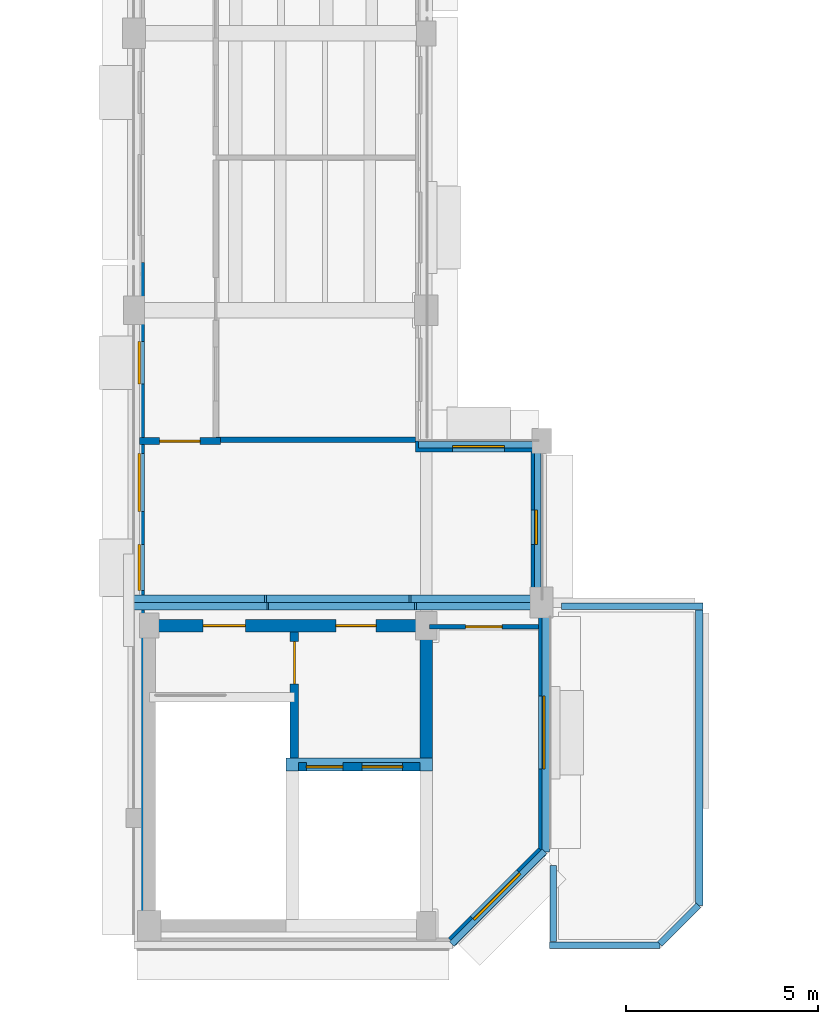
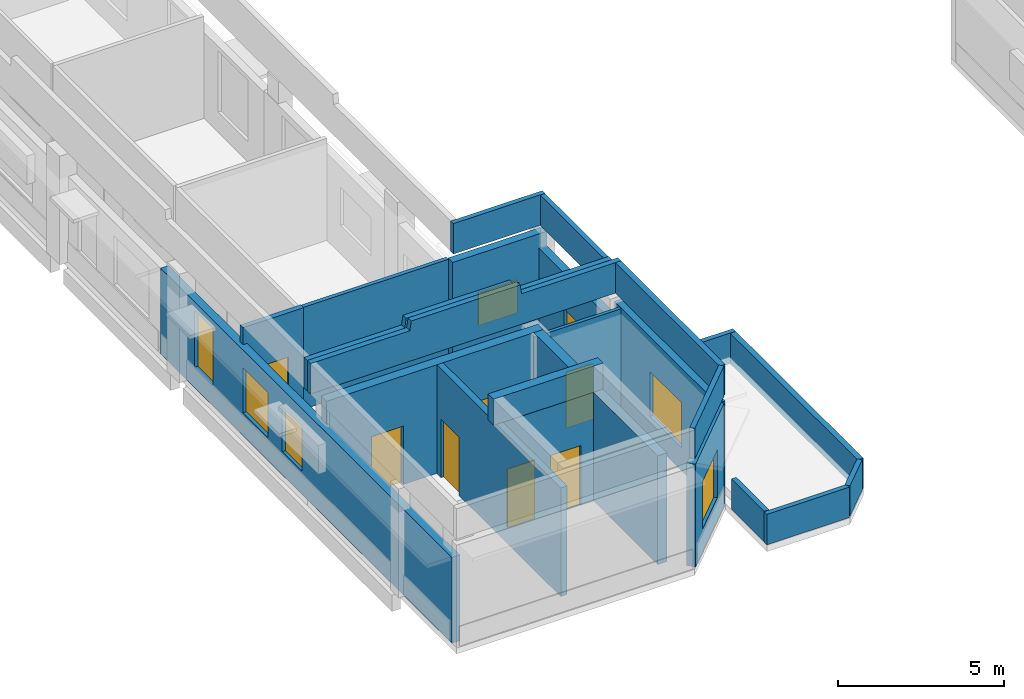
# One storey, part 6 of 17: 24 walls, 7 doors, 7 windows, 14 openings.
"""IFC4 building model written with IfcOpenShell, lengths in metres."""

import ifcopenshell
import ifcopenshell.guid

model = None  # the IFC model being written
_history = None  # IfcOwnerHistory: only IFC2X3 demands one
_inside = {}  # id of a spatial element -> (the spatial element, [elements in it])
_under = {}  # id of a project, library or spatial element -> (it, [spatial elements below it])
_declared = {}  # id of a project -> (the project, [libraries it declares])
_typed = {}  # id of a type object -> (the type object, [elements of that type])
_made_of = {}  # id of a material, layer set ... -> (it, [elements and type objects made of it])


def new_model(schema):
    """Start an empty IFC model of exactly this schema.

    Asked for "IFC4X3", IfcOpenShell would pick the latest addendum, in which some entities
    have other attributes; the version numbers below select the first issue.
    IFC2X3 requires an IfcOwnerHistory on every rooted entity: one is made here for all.
    """
    global model, _history
    if schema == "IFC4X3":
        model = ifcopenshell.file(schema_version=(4, 3, 0, 0))
    else:
        model = ifcopenshell.file(schema=schema)
    _inside.clear()
    _under.clear()
    _declared.clear()
    _typed.clear()
    _made_of.clear()
    _history = None
    if model.schema == "IFC2X3":
        org = make("IfcOrganization", Name="unknown")
        user = make(
            "IfcPersonAndOrganization",
            ThePerson=make("IfcPerson", FamilyName="unknown"),
            TheOrganization=org,
        )
        app = make(
            "IfcApplication",
            ApplicationDeveloper=org,
            Version="unknown",
            ApplicationFullName="unknown",
            ApplicationIdentifier="unknown",
        )
        _history = make(
            "IfcOwnerHistory",
            OwningUser=user,
            OwningApplication=app,
            ChangeAction="ADDED",
            CreationDate=0,
        )
    return model


def make(cls, **values):
    """One entity of the class cls with the attributes given. An attribute that is None is left unset."""
    return model.create_entity(
        cls, **{name: value for name, value in values.items() if value is not None}
    )


def rooted(cls, **values):
    """An entity with a GlobalId (a new one), such as an element, a storey or a relation."""
    return make(cls, GlobalId=ifcopenshell.guid.new(), OwnerHistory=_history, **values)


def si_unit(unit_type, name, prefix=None):
    """IfcSIUnit, for example si_unit("LENGTHUNIT", "METRE", prefix="MILLI")."""
    return make("IfcSIUnit", UnitType=unit_type, Prefix=prefix, Name=name)


def assignment(units):
    """IfcUnitAssignment: the units of a project."""
    return None if units is None else make("IfcUnitAssignment", Units=units)


def point(xyz):
    """IfcCartesianPoint."""
    return None if xyz is None else make("IfcCartesianPoint", Coordinates=xyz)


def direction(xyz):
    """IfcDirection."""
    return None if xyz is None else make("IfcDirection", DirectionRatios=xyz)


def frame(location, z_axis=None, x_axis=None):
    """IfcAxis2Placement3D, a coordinate frame: its origin and axes. An axis left out is left unset."""
    return make(
        "IfcAxis2Placement3D",
        Location=point(location),
        Axis=direction(z_axis),
        RefDirection=direction(x_axis),
    )


def frame_2d(location, x_axis=None):
    """IfcAxis2Placement2D, a coordinate frame in the plane: its origin and x axis."""
    return make(
        "IfcAxis2Placement2D", Location=point(location), RefDirection=direction(x_axis)
    )


def origin():
    """The frame at (0, 0, 0) with its axes left unset."""
    return frame((0.0, 0.0, 0.0))


def place(relative_to, where):
    """IfcLocalPlacement: puts the frame where relative to a parent placement (None: the world)."""
    return make(
        "IfcLocalPlacement", PlacementRelTo=relative_to, RelativePlacement=where
    )


def context(
    kind, dimensions, precision=None, world=None, true_north=None, identifier=None
):
    """IfcGeometricRepresentationContext, for example the 3D "Model" context."""
    return make(
        "IfcGeometricRepresentationContext",
        ContextIdentifier=identifier,
        ContextType=kind,
        CoordinateSpaceDimension=dimensions,
        Precision=precision,
        WorldCoordinateSystem=world,
        TrueNorth=true_north,
    )


def subcontext(parent, identifier, kind, view, scale=None):
    """IfcGeometricRepresentationSubContext, for example "Body" below "Model"."""
    return make(
        "IfcGeometricRepresentationSubContext",
        ContextIdentifier=identifier,
        ContextType=kind,
        ParentContext=parent,
        TargetScale=scale,
        TargetView=view,
    )


def project(units=None, contexts=None):
    """IfcProject with its units and contexts."""
    return rooted(
        "IfcProject",
        Name="project",
        RepresentationContexts=contexts,
        UnitsInContext=assignment(units),
    )


def spatial(cls, under=None, at=None, **own):
    """A site, building, storey or space (cls), placed at a placement, below another one or the project."""
    s = rooted(cls, ObjectPlacement=at, **own)
    if under is not None:
        _under.setdefault(under.id(), (under, []))[1].append(s)
    return s


def polyline(points):
    """IfcPolyline through the points."""
    return make("IfcPolyline", Points=[point(p) for p in points])


def profile(cls, at=None, kind="AREA", **sizes):
    """A parametric profile (cls). Its sizes go by their IFC names, for example OverallWidth=200.0."""
    return make(cls, ProfileType=kind, Position=at, **sizes)


def rectangle(**sizes):
    """IfcRectangleProfileDef."""
    return profile("IfcRectangleProfileDef", **sizes)


def outline(outer, holes=None, kind="AREA"):
    """IfcArbitraryClosedProfileDef: a profile drawn as a closed curve; with holes, ...WithVoids."""
    if holes is None:
        return make("IfcArbitraryClosedProfileDef", ProfileType=kind, OuterCurve=outer)
    return make(
        "IfcArbitraryProfileDefWithVoids",
        ProfileType=kind,
        OuterCurve=outer,
        InnerCurves=holes,
    )


def extrude(swept, where, along, depth):
    """IfcExtrudedAreaSolid: the profile swept, set in the frame where, extruded along a direction by depth."""
    return make(
        "IfcExtrudedAreaSolid",
        SweptArea=swept,
        Position=where,
        ExtrudedDirection=direction(along),
        Depth=depth,
    )


def shape(context_of_items, identifier, shape_type, items):
    """IfcShapeRepresentation: the items that make up one representation, for example the "Body"."""
    return make(
        "IfcShapeRepresentation",
        ContextOfItems=context_of_items,
        RepresentationIdentifier=identifier,
        RepresentationType=shape_type,
        Items=items,
    )


def material(Name=None, Category=None):
    """IfcMaterial."""
    return make("IfcMaterial", Name=Name, Category=Category)


def layer(
    of_material, thickness, ventilated=None, Name=None, Category=None, Priority=None
):
    """IfcMaterialLayer: one layer of a wall or slab, of a material (None: an air gap)."""
    return make(
        "IfcMaterialLayer",
        Material=of_material,
        LayerThickness=thickness,
        IsVentilated=ventilated,
        Name=Name,
        Category=Category,
        Priority=Priority,
    )


def layer_set(layers, Name=None):
    """IfcMaterialLayerSet."""
    return make("IfcMaterialLayerSet", MaterialLayers=layers, LayerSetName=Name)


def made_of(thing, what):
    """Note that an element or type object is made of a material, layer set ...; save() writes the relation."""
    if what is not None:
        _made_of.setdefault(what.id(), (what, []))[1].append(thing)
    return thing


def type_object(cls, material=None, **own):
    """A type object (cls), such as IfcWallType, which elements share."""
    return made_of(rooted(cls, **own), material)


def element(
    cls,
    number,
    at=None,
    inside=None,
    cuts=None,
    type_object=None,
    material=None,
    context=None,
    identifier="Body",
    shape_type=None,
    held_by="IfcProductDefinitionShape",
    body=None,
    shapes=None,
    **own,
):
    """One element of the class cls, such as IfcWall. Its Tag is "e" and its number.

    at: its placement. inside: the storey or other place that contains it. cuts: it is an
    opening in that element (IfcRelVoidsElement). A single representation is given by context,
    identifier, shape_type and body (its items); several are given by shapes. held_by: the class
    of the entity that holds the representations. save() writes the other relations.
    """
    e = rooted(cls, Tag="e%d" % number, ObjectPlacement=at, **own)
    if body is not None:
        shapes = [shape(context, identifier, shape_type, body)]
    if shapes is not None:
        e.Representation = make(held_by, Representations=shapes)
    if inside is not None:
        _inside.setdefault(inside.id(), (inside, []))[1].append(e)
    if cuts is not None:
        rooted(
            "IfcRelVoidsElement", RelatingBuildingElement=cuts, RelatedOpeningElement=e
        )
    if type_object is not None:
        _typed.setdefault(type_object.id(), (type_object, []))[1].append(e)
    return made_of(e, material)


def fill(opening, filler):
    """IfcRelFillsElement: the door or window that sits in an opening."""
    return rooted(
        "IfcRelFillsElement",
        RelatingOpeningElement=opening,
        RelatedBuildingElement=filler,
    )


def aggregate(whole, parts):
    """IfcRelAggregates: a whole, such as a stair, and the parts it consists of."""
    return rooted("IfcRelAggregates", RelatingObject=whole, RelatedObjects=parts)


def save(model, path):
    """Write the relations noted so far, then the file.

    IfcRelAggregates (storeys below a building ...), IfcRelContainedInSpatialStructure (elements
    in a storey), IfcRelDefinesByType, IfcRelAssociatesMaterial and IfcRelDeclares: one each for
    every whole, place, type object, material and project.
    """
    for whole, parts in _under.values():
        aggregate(whole, parts)
    for where, things in _inside.values():
        rooted(
            "IfcRelContainedInSpatialStructure",
            RelatedElements=things,
            RelatingStructure=where,
        )
    for kind, things in _typed.values():
        rooted("IfcRelDefinesByType", RelatedObjects=things, RelatingType=kind)
    for what, things in _made_of.values():
        rooted("IfcRelAssociatesMaterial", RelatedObjects=things, RelatingMaterial=what)
    for by, libraries in _declared.values():
        rooted("IfcRelDeclares", RelatingContext=by, RelatedDefinitions=libraries)
    model.write(path)


model = new_model("IFC4")

# Units and contexts
model_context = context("Model", 3, precision=1e-05, world=origin(), true_north=direction((0.0, 1.0)))
body_context = subcontext(model_context, "Body", "Model", "MODEL_VIEW")
ifc_project = project(units=[si_unit("LENGTHUNIT", "METRE"), si_unit("AREAUNIT", "SQUARE_METRE"), si_unit("VOLUMEUNIT", "CUBIC_METRE"), si_unit("PLANEANGLEUNIT", "RADIAN"), si_unit("MASSUNIT", "GRAM", prefix="KILO")], contexts=[model_context])

# Site, building, storey
site_placement = place(None, origin())
site = spatial("IfcSite", under=ifc_project, at=site_placement, CompositionType="ELEMENT")
building_placement = place(site_placement, origin())
building = spatial("IfcBuilding", under=site, at=building_placement, Name="Kelanivale Promenade Academy", CompositionType="ELEMENT")
storey_placement = place(building_placement, frame((0.0, 0.0, 20.199951171875)))
storey = spatial("IfcBuildingStorey", under=building, at=storey_placement, Name="L05", CompositionType="ELEMENT", Elevation=20.199951171875)

# Wall, openings, doors
ifc_material_1 = material(Name="Concrete C40/50", Category="concrete")
ifc_layer_1 = layer(ifc_material_1, 0.330078125)
ifc_layer_set_1 = layer_set([ifc_layer_1], Name="Concrete C40/50")
wall_type_1 = type_object("IfcWallType", Name="CW-S1 Wall 330mm", PredefinedType="SHEAR", material=ifc_layer_set_1)
wall_1_placement = place(storey_placement, frame((79.43505859375, 41.39990234375, 0.0), z_axis=(0.0, 0.0, 1.0), x_axis=(1.0, 0.0, 0.0)))
wall_1 = element("IfcWall", 1, at=wall_1_placement, inside=storey, type_object=wall_type_1, Name="CORE-1 RC shear wall N L05", PredefinedType="SHEAR", context=body_context, shape_type="SweptSolid", body=[
    extrude(rectangle(XDim=7.530029296875, YDim=0.330078125, at=frame_2d((3.76513671875, 0.0))), origin(), (0.0, 0.0, 1.0), 4.0),
])
opening_1_placement = place(wall_1_placement, frame((5.014892578125, 0.0, 0.0)))
opening_1 = element("IfcOpeningElement", 2, at=opening_1_placement, cuts=wall_1, Name="Opening FD-CORE-1-LB-L05", PredefinedType="OPENING", context=body_context, shape_type="SweptSolid", body=[
    extrude(rectangle(XDim=1.050048828125, YDim=2.14990234375, at=frame_2d((0.52490234375, 1.074951171875))), frame((0.0, 0.175048828125, 0.0), z_axis=(0.0, -1.0, 0.0), x_axis=(1.0, 0.0, 0.0)), (0.0, 0.0, 1.0), 0.35009765625),
])
opening_2_placement = place(wall_1_placement, frame((1.56494140625, 0.0, 0.0)))
opening_2 = element("IfcOpeningElement", 3, at=opening_2_placement, cuts=wall_1, Name="Opening FD-CORE-1-ST-L05", PredefinedType="OPENING", context=body_context, shape_type="SweptSolid", body=[
    extrude(rectangle(XDim=1.10009765625, YDim=2.14990234375, at=frame_2d((0.550048828125, 1.074951171875))), frame((0.0, 0.175048828125, 0.0), z_axis=(0.0, -1.0, 0.0), x_axis=(1.0, 0.0, 0.0)), (0.0, 0.0, 1.0), 0.35009765625),
])
ifc_material_2 = material(Name="Fire-rated steel-core teak veneer", Category="steel")
door_type_1 = type_object("IfcDoorType", Name="DT-F01 Door 1100x2150", OperationType="NOTDEFINED", PredefinedType="DOOR", material=ifc_material_2)
door_1_placement = place(opening_2_placement, origin())
door_1 = element("IfcDoor", 4, at=door_1_placement, inside=storey, type_object=door_type_1, Name="CORE-1 protected stair fire door L05", OperationType="SINGLE_SWING_RIGHT", OverallHeight=2.14990234375, OverallWidth=1.10009765625, PredefinedType="DOOR", context=body_context, shape_type="SweptSolid", body=[
    extrude(rectangle(XDim=1.10009765625, YDim=2.14990234375, at=frame_2d((0.550048828125, 1.074951171875))), frame((0.0, 0.02490234375, 0.0), z_axis=(0.0, -1.0, 0.0), x_axis=(1.0, 0.0, 0.0)), (0.0, 0.0, 1.0), 0.050048828125),
])
fill(opening_2, door_1)
door_type_2 = type_object("IfcDoorType", Name="DT-F03 Door 1050x2150", OperationType="NOTDEFINED", PredefinedType="DOOR", material=ifc_material_2)
door_2_placement = place(opening_1_placement, origin())
door_2 = element("IfcDoor", 5, at=door_2_placement, inside=storey, type_object=door_type_2, Name="CORE-1 corridor-to-lobby fire door L05", OperationType="SINGLE_SWING_LEFT", OverallHeight=2.14990234375, OverallWidth=1.050048828125, PredefinedType="DOOR", context=body_context, shape_type="SweptSolid", body=[
    extrude(rectangle(XDim=1.050048828125, YDim=2.14990234375, at=frame_2d((0.52490234375, 1.074951171875))), frame((0.0, 0.02490234375, 0.0), z_axis=(0.0, -1.0, 0.0), x_axis=(1.0, 0.0, 0.0)), (0.0, 0.0, 1.0), 0.050048828125),
])
fill(opening_1, door_2)

# Walls
wall_2_placement = place(storey_placement, frame((86.800048828125, 33.764892578125, 0.0), z_axis=(0.0, 0.0, 1.0), x_axis=(0.0, 1.0, 0.0)))
element("IfcWall", 6, at=wall_2_placement, inside=storey, type_object=wall_type_1, Name="CORE-1 RC shear wall E L05", PredefinedType="SHEAR", context=body_context, shape_type="SweptSolid", body=[
    extrude(rectangle(XDim=7.47021484375, YDim=0.330078125, at=frame_2d((3.735107421875, 0.0))), origin(), (0.0, 0.0, 1.0), 4.0),
])
wall_3_placement = place(storey_placement, frame((83.155029296875, 37.7900390625, 4.0), z_axis=(0.0, 0.0, 1.0), x_axis=(1.0, 0.0, 0.0)))
element("IfcWall", 7, at=wall_3_placement, inside=storey, type_object=wall_type_1, Name="CORE-1 lift overrun shaft wall N", PredefinedType="SHEAR", context=body_context, shape_type="SweptSolid", body=[
    extrude(rectangle(XDim=3.81005859375, YDim=0.330078125, at=frame_2d((1.905029296875, 0.0))), origin(), (0.0, 0.0, 1.0), 0.9599609375),
])

# Wall, openings, doors
ifc_layer_2 = layer(ifc_material_1, 0.22509765625)
ifc_layer_set_2 = layer_set([ifc_layer_2], Name="Concrete C40/50")
wall_type_2 = type_object("IfcWallType", Name="CW-S2 Wall 225mm", PredefinedType="SHEAR", material=ifc_layer_set_2)
wall_4_placement = place(storey_placement, frame((83.485107421875, 37.72998046875, 0.0), z_axis=(0.0, 0.0, 1.0), x_axis=(1.0, 0.0, 0.0)))
wall_4 = element("IfcWall", 8, at=wall_4_placement, inside=storey, type_object=wall_type_2, Name="CORE-1 lift shaft front RC wall L05", PredefinedType="SHEAR", context=body_context, shape_type="SweptSolid", body=[
    extrude(rectangle(XDim=3.14990234375, YDim=0.22509765625, at=frame_2d((1.574951171875, 0.0))), origin(), (0.0, 0.0, 1.0), 4.0),
])
opening_3_placement = place(wall_4_placement, frame((0.199951171875, 0.0, 0.0)))
opening_3 = element("IfcOpeningElement", 9, at=opening_3_placement, cuts=wall_4, Name="Opening LD-LF-FF1-L05", PredefinedType="OPENING", context=body_context, shape_type="SweptSolid", body=[
    extrude(rectangle(XDim=0.949951171875, YDim=2.14990234375, at=frame_2d((0.47509765625, 1.074951171875))), frame((0.0, 0.12255859375, 0.0), z_axis=(0.0, -1.0, 0.0), x_axis=(1.0, 0.0, 0.0)), (0.0, 0.0, 1.0), 0.2451171875),
])
opening_4_placement = place(wall_4_placement, frame((1.64990234375, 0.0, 0.0)))
opening_4 = element("IfcOpeningElement", 10, at=opening_4_placement, cuts=wall_4, Name="Opening LD-LF-P1-L05", PredefinedType="OPENING", context=body_context, shape_type="SweptSolid", body=[
    extrude(rectangle(XDim=1.050048828125, YDim=2.199951171875, at=frame_2d((0.52490234375, 1.10009765625))), frame((0.0, 0.12255859375, 0.0), z_axis=(0.0, -1.0, 0.0), x_axis=(1.0, 0.0, 0.0)), (0.0, 0.0, 1.0), 0.2451171875),
])
door_type_3 = type_object("IfcDoorType", Name="LD-FF1 Door 950x2150", OperationType="NOTDEFINED", PredefinedType="DOOR", material=ifc_material_2)
door_3_placement = place(opening_3_placement, origin())
door_3 = element("IfcDoor", 11, at=door_3_placement, inside=storey, type_object=door_type_3, Name="Firefighting lift landing door LD-LF-FF1-L05", OperationType="SLIDING_TO_LEFT", OverallHeight=2.14990234375, OverallWidth=0.949951171875, PredefinedType="DOOR", context=body_context, shape_type="SweptSolid", body=[
    extrude(rectangle(XDim=0.949951171875, YDim=2.14990234375, at=frame_2d((0.47509765625, 1.074951171875))), frame((0.0, 0.02490234375, 0.0), z_axis=(0.0, -1.0, 0.0), x_axis=(1.0, 0.0, 0.0)), (0.0, 0.0, 1.0), 0.050048828125),
])
fill(opening_3, door_3)
door_type_4 = type_object("IfcDoorType", Name="LD-PL1 Door 1050x2200", OperationType="NOTDEFINED", PredefinedType="DOOR", material=ifc_material_2)
door_4_placement = place(opening_4_placement, origin())
door_4 = element("IfcDoor", 12, at=door_4_placement, inside=storey, type_object=door_type_4, Name="Passenger lift landing door LD-LF-P1-L05", OperationType="SLIDING_TO_RIGHT", OverallHeight=2.199951171875, OverallWidth=1.050048828125, PredefinedType="DOOR", context=body_context, shape_type="SweptSolid", body=[
    extrude(rectangle(XDim=1.050048828125, YDim=2.199951171875, at=frame_2d((0.52490234375, 1.10009765625))), frame((0.0, 0.02490234375, 0.0), z_axis=(0.0, -1.0, 0.0), x_axis=(1.0, 0.0, 0.0)), (0.0, 0.0, 1.0), 0.050048828125),
])
fill(opening_4, door_4)

# Wall, opening, door
ifc_layer_3 = layer(ifc_material_1, 0.219970703125)
ifc_layer_set_3 = layer_set([ifc_layer_3], Name="Concrete C40/50")
wall_type_3 = type_object("IfcWallType", Name="CW-S3 Wall 220mm", PredefinedType="SHEAR", material=ifc_layer_set_3)
wall_5_placement = place(storey_placement, frame((83.375, 33.764892578125, 0.0), z_axis=(0.0, 0.0, 1.0), x_axis=(0.0, 1.0, 0.0)))
wall_5 = element("IfcWall", 13, at=wall_5_placement, inside=storey, type_object=wall_type_3, Name="CORE-1 stair-lobby dividing RC wall L05", PredefinedType="SHEAR", context=body_context, shape_type="SweptSolid", body=[
    extrude(rectangle(XDim=7.47021484375, YDim=0.219970703125, at=frame_2d((3.735107421875, 0.0))), origin(), (0.0, 0.0, 1.0), 4.0),
])
opening_5_placement = place(wall_5_placement, frame((6.1201171875, 0.0, 0.0)))
opening_5 = element("IfcOpeningElement", 14, at=opening_5_placement, cuts=wall_5, Name="Opening FD-CORE-1-SL-L05", PredefinedType="OPENING", context=body_context, shape_type="SweptSolid", body=[
    extrude(rectangle(XDim=1.10009765625, YDim=2.14990234375, at=frame_2d((0.550048828125, 1.074951171875))), frame((0.0, 0.1201171875, 0.0), z_axis=(0.0, -1.0, 0.0), x_axis=(1.0, 0.0, 0.0)), (0.0, 0.0, 1.0), 0.239990234375),
])
door_5_placement = place(opening_5_placement, origin())
door_5 = element("IfcDoor", 15, at=door_5_placement, inside=storey, type_object=door_type_1, Name="CORE-1 lobby-to-stair fire door L05", OperationType="SINGLE_SWING_RIGHT", OverallHeight=2.14990234375, OverallWidth=1.10009765625, PredefinedType="DOOR", context=body_context, shape_type="SweptSolid", body=[
    extrude(rectangle(XDim=1.10009765625, YDim=2.14990234375, at=frame_2d((0.550048828125, 1.074951171875))), frame((0.0, 0.02490234375, 0.0), z_axis=(0.0, -1.0, 0.0), x_axis=(1.0, 0.0, 0.0)), (0.0, 0.0, 1.0), 0.050048828125),
])
fill(opening_5, door_5)

# Wall, opening, window
ifc_material_3 = material(Name="Insulated ivory stucco masonry wall 280 mm", Category="masonry")
ifc_layer_4 = layer(ifc_material_3, 0.280029296875)
ifc_layer_set_4 = layer_set([ifc_layer_4], Name="Insulated ivory stucco masonry wall 280 mm")
wall_type_4 = type_object("IfcWallType", Name="EW-02 Wall 280mm", PredefinedType="SOLIDWALL", material=ifc_layer_set_4)
wall_6_placement = place(storey_placement, frame((89.659912109375, 42.0, 0.0), z_axis=(0.0, 0.0, 1.0), x_axis=(0.0, 1.0, 0.0)))
wall_6 = element("IfcWall", 16, at=wall_6_placement, inside=storey, type_object=wall_type_4, Name="L05 exterior facade wall EW-L05-ORT-0557", PredefinedType="SOLIDWALL", context=body_context, shape_type="SweptSolid", body=[
    extrude(rectangle(XDim=3.919921875, YDim=0.280029296875, at=frame_2d((1.9599609375, 0.0))), origin(), (0.0, 0.0, 1.0), 3.255126953125),
])
opening_6_placement = place(wall_6_placement, frame((1.510009765625, 0.0, 1.050048828125)))
opening_6 = element("IfcOpeningElement", 17, at=opening_6_placement, cuts=wall_6, Name="Opening WT-10", PredefinedType="OPENING", context=body_context, shape_type="SweptSolid", body=[
    extrude(rectangle(XDim=0.89990234375, YDim=0.89990234375, at=frame_2d((0.449951171875, 0.449951171875))), frame((0.0, 0.14990234375, 0.0), z_axis=(0.0, -1.0, 0.0), x_axis=(1.0, 0.0, 0.0)), (0.0, 0.0, 1.0), 0.300048828125),
])
ifc_material_4 = material(Name="Bronze anodised aluminium frame with low-E laminated glass", Category="aluminium")
window_type_1 = type_object("IfcWindowType", Name="WT-10 Window 900x900", PartitioningType="SINGLE_PANEL", PredefinedType="WINDOW", material=ifc_material_4)
window_1_placement = place(opening_6_placement, origin())
window_1 = element("IfcWindow", 18, at=window_1_placement, inside=storey, type_object=window_type_1, Name="Window WT-10", OverallHeight=0.89990234375, OverallWidth=0.89990234375, PartitioningType="SINGLE_PANEL", PredefinedType="WINDOW", context=body_context, shape_type="SweptSolid", body=[
    extrude(rectangle(XDim=0.89990234375, YDim=0.89990234375, at=frame_2d((0.449951171875, 0.449951171875))), frame((0.0, 0.030029296875, 0.0), z_axis=(0.0, -1.0, 0.0), x_axis=(1.0, 0.0, 0.0)), (0.0, 0.0, 1.0), 0.06005859375),
])
fill(opening_6, window_1)

wall_7_placement = place(storey_placement, frame((89.800048828125, 46.06005859375, 0.0), z_axis=(0.0, 0.0, 1.0), x_axis=(-1.0, 0.0, 0.0)))
wall_7 = element("IfcWall", 19, at=wall_7_placement, inside=storey, type_object=wall_type_4, Name="L05 exterior facade wall EW-L05-ORT-0558", PredefinedType="SOLIDWALL", context=body_context, shape_type="SweptSolid", body=[
    extrude(rectangle(XDim=3.280029296875, YDim=0.280029296875, at=frame_2d((1.64013671875, 0.0))), origin(), (0.0, 0.0, 1.0), 3.780029296875),
])
opening_7_placement = place(wall_7_placement, frame((0.965087890625, 0.0, 1.050048828125)))
opening_7 = element("IfcOpeningElement", 20, at=opening_7_placement, cuts=wall_7, Name="Opening WT-34", PredefinedType="OPENING", context=body_context, shape_type="SweptSolid", body=[
    extrude(rectangle(XDim=1.35009765625, YDim=1.199951171875, at=frame_2d((0.675048828125, 0.60009765625))), frame((0.0, 0.14990234375, 0.0), z_axis=(0.0, -1.0, 0.0), x_axis=(1.0, 0.0, 0.0)), (0.0, 0.0, 1.0), 0.300048828125),
])
window_type_2 = type_object("IfcWindowType", Name="WT-34 Window 1350x1200", PartitioningType="SINGLE_PANEL", PredefinedType="WINDOW", material=ifc_material_4)
window_2_placement = place(opening_7_placement, origin())
window_2 = element("IfcWindow", 21, at=window_2_placement, inside=storey, type_object=window_type_2, Name="Window WT-34", OverallHeight=1.199951171875, OverallWidth=1.35009765625, PartitioningType="SINGLE_PANEL", PredefinedType="WINDOW", context=body_context, shape_type="SweptSolid", body=[
    extrude(rectangle(XDim=1.35009765625, YDim=1.199951171875, at=frame_2d((0.675048828125, 0.60009765625))), frame((0.0, 0.030029296875, 0.0), z_axis=(0.0, -1.0, 0.0), x_axis=(1.0, 0.0, 0.0)), (0.0, 0.0, 1.0), 0.06005859375),
])
fill(opening_7, window_2)

# Wall, openings, windows
wall_8_placement = place(storey_placement, frame((79.340087890625, 50.840087890625, 0.0), z_axis=(0.0, 0.0, 1.0), x_axis=(0.0, -1.0, 0.0)))
wall_8 = element("IfcWall", 22, at=wall_8_placement, inside=storey, type_object=wall_type_4, Name="L05 exterior facade wall EW-L05-ORT-0591", PredefinedType="SOLIDWALL", context=body_context, shape_type="SweptSolid", body=[
    extrude(rectangle(XDim=17.56005859375, YDim=0.280029296875, at=frame_2d((8.780029296875, 0.0))), origin(), (0.0, 0.0, 1.0), 3.155029296875),
])
opening_8_placement = place(wall_8_placement, frame((2.055908203125, 0.0, 0.75)))
opening_8 = element("IfcOpeningElement", 23, at=opening_8_placement, cuts=wall_8, Name="Opening WT-17", PredefinedType="OPENING", context=body_context, shape_type="SweptSolid", body=[
    extrude(rectangle(XDim=1.10009765625, YDim=2.10009765625, at=frame_2d((0.550048828125, 1.050048828125))), frame((0.0, 0.14990234375, 0.0), z_axis=(0.0, -1.0, 0.0), x_axis=(1.0, 0.0, 0.0)), (0.0, 0.0, 1.0), 0.300048828125),
])
opening_9_placement = place(wall_8_placement, frame((4.968017578125, 0.0, 0.85009765625)))
opening_9 = element("IfcOpeningElement", 24, at=opening_9_placement, cuts=wall_8, Name="Opening WT-04", PredefinedType="OPENING", context=body_context, shape_type="SweptSolid", body=[
    extrude(rectangle(XDim=1.5, YDim=1.64990234375, at=frame_2d((0.75, 0.824951171875))), frame((0.0, 0.14990234375, 0.0), z_axis=(0.0, -1.0, 0.0), x_axis=(1.0, 0.0, 0.0)), (0.0, 0.0, 1.0), 0.300048828125),
])
opening_10_placement = place(wall_8_placement, frame((7.330078125, 0.0, 0.85009765625)))
opening_10 = element("IfcOpeningElement", 25, at=opening_10_placement, cuts=wall_8, Name="Opening WT-05", PredefinedType="OPENING", context=body_context, shape_type="SweptSolid", body=[
    extrude(rectangle(XDim=1.199951171875, YDim=1.64990234375, at=frame_2d((0.60009765625, 0.824951171875))), frame((0.0, 0.14990234375, 0.0), z_axis=(0.0, -1.0, 0.0), x_axis=(1.0, 0.0, 0.0)), (0.0, 0.0, 1.0), 0.300048828125),
])
window_type_3 = type_object("IfcWindowType", Name="WT-04 Window 1500x1650", PartitioningType="SINGLE_PANEL", PredefinedType="WINDOW", material=ifc_material_4)
window_3_placement = place(opening_9_placement, origin())
window_3 = element("IfcWindow", 26, at=window_3_placement, inside=storey, type_object=window_type_3, Name="Window WT-04", OverallHeight=1.64990234375, OverallWidth=1.5, PartitioningType="SINGLE_PANEL", PredefinedType="WINDOW", context=body_context, shape_type="SweptSolid", body=[
    extrude(rectangle(XDim=1.5, YDim=1.64990234375, at=frame_2d((0.75, 0.824951171875))), frame((0.0, 0.030029296875, 0.0), z_axis=(0.0, -1.0, 0.0), x_axis=(1.0, 0.0, 0.0)), (0.0, 0.0, 1.0), 0.06005859375),
])
fill(opening_9, window_3)
window_type_4 = type_object("IfcWindowType", Name="WT-05 Window 1200x1650", PartitioningType="SINGLE_PANEL", PredefinedType="WINDOW", material=ifc_material_4)
window_4_placement = place(opening_10_placement, origin())
window_4 = element("IfcWindow", 27, at=window_4_placement, inside=storey, type_object=window_type_4, Name="Window WT-05", OverallHeight=1.64990234375, OverallWidth=1.199951171875, PartitioningType="SINGLE_PANEL", PredefinedType="WINDOW", context=body_context, shape_type="SweptSolid", body=[
    extrude(rectangle(XDim=1.199951171875, YDim=1.64990234375, at=frame_2d((0.60009765625, 0.824951171875))), frame((0.0, 0.030029296875, 0.0), z_axis=(0.0, -1.0, 0.0), x_axis=(1.0, 0.0, 0.0)), (0.0, 0.0, 1.0), 0.06005859375),
])
fill(opening_10, window_4)
window_type_5 = type_object("IfcWindowType", Name="WT-17 Window 1100x2100", PartitioningType="SINGLE_PANEL", PredefinedType="WINDOW", material=ifc_material_4)
window_5_placement = place(opening_8_placement, origin())
window_5 = element("IfcWindow", 28, at=window_5_placement, inside=storey, type_object=window_type_5, Name="Window WT-17", OverallHeight=2.10009765625, OverallWidth=1.10009765625, PartitioningType="SINGLE_PANEL", PredefinedType="WINDOW", context=body_context, shape_type="SweptSolid", body=[
    extrude(rectangle(XDim=1.10009765625, YDim=2.10009765625, at=frame_2d((0.550048828125, 1.050048828125))), frame((0.0, 0.030029296875, 0.0), z_axis=(0.0, -1.0, 0.0), x_axis=(1.0, 0.0, 0.0)), (0.0, 0.0, 1.0), 0.06005859375),
])
fill(opening_8, window_5)

# Wall, opening, window
wall_9_placement = place(storey_placement, frame((87.466064453125, 33.18408203125, 0.0), z_axis=(0.0, 0.0, 1.0), x_axis=(0.707106781187, 0.707106781187, 0.0)))
wall_9 = element("IfcWall", 29, at=wall_9_placement, inside=storey, type_object=wall_type_4, Name="L05 exterior facade wall EW-L05-ORT-0593", PredefinedType="SOLIDWALL", context=body_context, shape_type="SweptSolid", body=[
    extrude(rectangle(XDim=3.3232421875, YDim=0.280029296875, at=frame_2d((1.66162109375, 0.0))), origin(), (0.0, 0.0, 1.0), 3.780029296875),
])
opening_11_placement = place(wall_9_placement, frame((0.81201171875, 0.0, 0.85009765625)))
opening_11 = element("IfcOpeningElement", 30, at=opening_11_placement, cuts=wall_9, Name="Opening WT-25", PredefinedType="OPENING", context=body_context, shape_type="SweptSolid", body=[
    extrude(rectangle(XDim=1.699951171875, YDim=1.75, at=frame_2d((0.85009765625, 0.875))), frame((0.0, 0.14990234375, 0.0), z_axis=(0.0, -1.0, 0.0), x_axis=(1.0, 0.0, 0.0)), (0.0, 0.0, 1.0), 0.300048828125),
])
window_type_6 = type_object("IfcWindowType", Name="WT-25 Window 1700x1750", PartitioningType="SINGLE_PANEL", PredefinedType="WINDOW", material=ifc_material_4)
window_6_placement = place(opening_11_placement, origin())
window_6 = element("IfcWindow", 31, at=window_6_placement, inside=storey, type_object=window_type_6, Name="Window WT-25", OverallHeight=1.75, OverallWidth=1.699951171875, PartitioningType="SINGLE_PANEL", PredefinedType="WINDOW", context=body_context, shape_type="SweptSolid", body=[
    extrude(rectangle(XDim=1.699951171875, YDim=1.75, at=frame_2d((0.85009765625, 0.875))), frame((0.0, 0.030029296875, 0.0), z_axis=(0.0, -1.0, 0.0), x_axis=(1.0, 0.0, 0.0)), (0.0, 0.0, 1.0), 0.06005859375),
])
fill(opening_11, window_6)

wall_10_placement = place(storey_placement, frame((89.860107421875, 35.52197265625, 0.0), z_axis=(0.0, 0.0, 1.0), x_axis=(0.0, 1.0, 0.0)))
wall_10 = element("IfcWall", 32, at=wall_10_placement, inside=storey, type_object=wall_type_4, Name="L05 exterior facade wall EW-L05-ORT-0594", PredefinedType="SOLIDWALL", context=body_context, shape_type="SweptSolid", body=[
    extrude(rectangle(XDim=6.197998046875, YDim=0.280029296875, at=frame_2d((3.09912109375, 0.0))), origin(), (0.0, 0.0, 1.0), 3.780029296875),
])
opening_12_placement = place(wall_10_placement, frame((2.14892578125, 0.0, 0.85009765625)))
opening_12 = element("IfcOpeningElement", 33, at=opening_12_placement, cuts=wall_10, Name="Opening WT-26", PredefinedType="OPENING", context=body_context, shape_type="SweptSolid", body=[
    extrude(rectangle(XDim=1.89990234375, YDim=1.64990234375, at=frame_2d((0.949951171875, 0.824951171875))), frame((0.0, 0.14990234375, 0.0), z_axis=(0.0, -1.0, 0.0), x_axis=(1.0, 0.0, 0.0)), (0.0, 0.0, 1.0), 0.300048828125),
])
window_type_7 = type_object("IfcWindowType", Name="WT-26 Window 1900x1650", PartitioningType="SINGLE_PANEL", PredefinedType="WINDOW", material=ifc_material_4)
window_7_placement = place(opening_12_placement, origin())
window_7 = element("IfcWindow", 34, at=window_7_placement, inside=storey, type_object=window_type_7, Name="Window WT-26", OverallHeight=1.64990234375, OverallWidth=1.89990234375, PartitioningType="SINGLE_PANEL", PredefinedType="WINDOW", context=body_context, shape_type="SweptSolid", body=[
    extrude(rectangle(XDim=1.89990234375, YDim=1.64990234375, at=frame_2d((0.949951171875, 0.824951171875))), frame((0.0, 0.030029296875, 0.0), z_axis=(0.0, -1.0, 0.0), x_axis=(1.0, 0.0, 0.0)), (0.0, 0.0, 1.0), 0.06005859375),
])
fill(opening_12, window_7)

# Wall, opening, door
ifc_material_5 = material(Name="Autoclaved masonry blockwork 180 mm", Category="masonry")
ifc_layer_5 = layer(ifc_material_5, 0.179931640625)
ifc_layer_set_5 = layer_set([ifc_layer_5], Name="Autoclaved masonry blockwork 180 mm")
wall_type_5 = type_object("IfcWallType", Name="IW-02 Wall 180mm", PredefinedType="PARTITIONING", material=ifc_layer_set_5)
wall_11_placement = place(storey_placement, frame((79.341064453125, 46.199951171875, 0.0), z_axis=(0.0, 0.0, 1.0), x_axis=(1.0, 0.0, 0.0)))
wall_11 = element("IfcWall", 35, at=wall_11_placement, inside=storey, type_object=wall_type_5, Name="L05 cross-corridor fire wall", PredefinedType="PARTITIONING", context=body_context, shape_type="SweptSolid", body=[
    extrude(rectangle(XDim=2.10888671875, YDim=0.179931640625, at=frame_2d((1.054443359375, 0.0))), origin(), (0.0, 0.0, 1.0), 3.780029296875),
])
opening_13_placement = place(wall_11_placement, frame((0.530029296875, 0.0, 0.0)))
opening_13 = element("IfcOpeningElement", 36, at=opening_13_placement, cuts=wall_11, Name="Opening FD-L05-CC-194", PredefinedType="OPENING", context=body_context, shape_type="SweptSolid", body=[
    extrude(rectangle(XDim=1.050048828125, YDim=2.14990234375, at=frame_2d((0.52490234375, 1.074951171875))), frame((0.0, 0.10009765625, 0.0), z_axis=(0.0, -1.0, 0.0), x_axis=(1.0, 0.0, 0.0)), (0.0, 0.0, 1.0), 0.199951171875),
])
door_6_placement = place(opening_13_placement, origin())
door_6 = element("IfcDoor", 37, at=door_6_placement, inside=storey, type_object=door_type_2, Name="L05 cross-corridor fire door FD-L05-CC-194", OperationType="SINGLE_SWING_RIGHT", OverallHeight=2.14990234375, OverallWidth=1.050048828125, PredefinedType="DOOR", context=body_context, shape_type="SweptSolid", body=[
    extrude(rectangle(XDim=1.050048828125, YDim=2.14990234375, at=frame_2d((0.52490234375, 1.074951171875))), frame((0.0, 0.02490234375, 0.0), z_axis=(0.0, -1.0, 0.0), x_axis=(1.0, 0.0, 0.0)), (0.0, 0.0, 1.0), 0.050048828125),
])
fill(opening_13, door_6)

# Wall
ifc_material_6 = material(Name="Acoustic double-stud gypsum board partition 140 mm", Category="masonry")
ifc_layer_6 = layer(ifc_material_6, 0.139892578125)
ifc_layer_set_6 = layer_set([ifc_layer_6], Name="Acoustic double-stud gypsum board partition 140 mm")
wall_type_6 = type_object("IfcWallType", Name="IW-04 Wall 140mm", PredefinedType="PARTITIONING", material=ifc_layer_set_6)
wall_12_placement = place(storey_placement, frame((81.330078125, 46.22998046875, 0.0), z_axis=(0.0, 0.0, 1.0), x_axis=(1.0, 0.0, 0.0)))
element("IfcWall", 38, at=wall_12_placement, inside=storey, type_object=wall_type_6, Name="L05 partition Sixth Form Classroom", PredefinedType="PARTITIONING", context=body_context, shape_type="SweptSolid", body=[
    extrude(rectangle(XDim=5.19189453125, YDim=0.139892578125, at=frame_2d((2.595947265625, 0.0))), origin(), (0.0, 0.0, 1.0), 3.755126953125),
])

# Wall, opening, door
ifc_material_7 = material(Name="Lightweight gypsum stud partition 115 mm", Category="masonry")
ifc_layer_7 = layer(ifc_material_7, 0.114990234375)
ifc_layer_set_7 = layer_set([ifc_layer_7], Name="Lightweight gypsum stud partition 115 mm")
wall_type_7 = type_object("IfcWallType", Name="IW-06 Wall 115mm", PredefinedType="PARTITIONING", material=ifc_layer_set_7)
wall_13_placement = place(storey_placement, frame((89.721923828125, 41.3701171875, 0.0), z_axis=(0.0, 0.0, 1.0), x_axis=(-1.0, 0.0, 0.0)))
wall_13 = element("IfcWall", 39, at=wall_13_placement, inside=storey, type_object=wall_type_7, Name="L05 partition Examinations Staff Office", PredefinedType="PARTITIONING", context=body_context, shape_type="SweptSolid", body=[
    extrude(rectangle(XDim=2.842041015625, YDim=0.114990234375, at=frame_2d((1.4208984375, 0.0))), origin(), (0.0, 0.0, 1.0), 3.755126953125),
])
opening_14_placement = place(wall_13_placement, frame((0.946044921875, 0.0, 0.0)))
opening_14 = element("IfcOpeningElement", 40, at=opening_14_placement, cuts=wall_13, Name="Opening ID-L05-198", PredefinedType="OPENING", context=body_context, shape_type="SweptSolid", body=[
    extrude(rectangle(XDim=0.949951171875, YDim=2.050048828125, at=frame_2d((0.47509765625, 1.02490234375))), frame((0.0, 0.0673828125, 0.0), z_axis=(0.0, -1.0, 0.0), x_axis=(1.0, 0.0, 0.0)), (0.0, 0.0, 1.0), 0.135009765625),
])
ifc_material_8 = material(Name="Solid-core tropical teak timber", Category="wood")
door_type_5 = type_object("IfcDoorType", Name="DT-I07 Door 950x2050", OperationType="NOTDEFINED", PredefinedType="DOOR", material=ifc_material_8)
door_7_placement = place(opening_14_placement, origin())
door_7 = element("IfcDoor", 41, at=door_7_placement, inside=storey, type_object=door_type_5, Name="Examinations Staff Office door ID-L05-198", OperationType="SINGLE_SWING_LEFT", OverallHeight=2.050048828125, OverallWidth=0.949951171875, PredefinedType="DOOR", context=body_context, shape_type="SweptSolid", body=[
    extrude(rectangle(XDim=0.949951171875, YDim=2.050048828125, at=frame_2d((0.47509765625, 1.02490234375))), frame((0.0, 0.02490234375, 0.0), z_axis=(0.0, -1.0, 0.0), x_axis=(1.0, 0.0, 0.0)), (0.0, 0.0, 1.0), 0.050048828125),
])
fill(opening_14, door_7)

# Walls
ifc_material_9 = material(Name="Precast concrete C40/50", Category="concrete")
ifc_layer_8 = layer(ifc_material_9, 0.195068359375)
ifc_layer_set_8 = layer_set([ifc_layer_8], Name="Precast concrete C40/50")
wall_type_8 = type_object("IfcWallType", Name="PW-01 Wall 195mm", PredefinedType="PARAPET", material=ifc_layer_set_8)
wall_14_placement = place(storey_placement, frame((93.902099609375, 34.1220703125, 0.0), z_axis=(0.0, 0.0, 1.0), x_axis=(0.0, 1.0, 0.0)))
element("IfcWall", 42, at=wall_14_placement, inside=storey, type_object=wall_type_8, Name="L05 stepped Art Deco roof parapet", PredefinedType="PARAPET", context=body_context, shape_type="SweptSolid", body=[
    extrude(rectangle(XDim=7.682861328125, YDim=0.195068359375, at=frame_2d((3.84130859375, 0.0))), origin(), (0.0, 0.0, 1.0), 1.1201171875),
])
wall_15_placement = place(storey_placement, frame((89.902099609375, 35.52197265625, 4.0), z_axis=(0.0, 0.0, 1.0), x_axis=(0.0, 1.0, 0.0)))
element("IfcWall", 43, at=wall_15_placement, inside=storey, type_object=wall_type_8, Name="RF stepped Art Deco roof parapet", PredefinedType="PARAPET", context=body_context, shape_type="SweptSolid", body=[
    extrude(rectangle(XDim=6.282958984375, YDim=0.195068359375, at=frame_2d((3.1416015625, 0.0))), origin(), (0.0, 0.0, 1.0), 1.1201171875),
])
wall_16_placement = place(storey_placement, frame((89.9990234375, 41.902099609375, 4.0), z_axis=(0.0, 0.0, 1.0), x_axis=(-1.0, 0.0, 0.0)))
element("IfcWall", 44, at=wall_16_placement, inside=storey, type_object=wall_type_8, Name="RF stepped Art Deco roof parapet", PredefinedType="PARAPET", context=body_context, shape_type="SweptSolid", body=[
    extrude(outline(polyline([(0.0, 0.0), (10.798095703125, 0.0), (10.798095703125, 1.1201171875), (7.343017578125, 1.1201171875), (7.29296875, 1.4599609375), (3.5048828125, 1.4599609375), (3.455078125, 1.1201171875), (0.0, 1.1201171875), (0.0, 0.0)])), frame((0.0, 0.09765625, 0.0), z_axis=(0.0, -1.0, 0.0), x_axis=(1.0, 0.0, 0.0)), (0.0, 0.0, 1.0), 0.195068359375),
])
wall_17_placement = place(storey_placement, frame((79.200927734375, 42.097900390625, 4.0), z_axis=(0.0, 0.0, 1.0), x_axis=(1.0, 0.0, 0.0)))
element("IfcWall", 45, at=wall_17_placement, inside=storey, type_object=wall_type_8, Name="RF stepped Art Deco roof parapet", PredefinedType="PARAPET", context=body_context, shape_type="SweptSolid", body=[
    extrude(outline(polyline([(0.0, 0.0), (10.59814453125, 0.0), (10.597900390625, 1.1201171875), (7.20703125, 1.1201171875), (7.156982421875, 1.4599609375), (3.44091796875, 1.4599609375), (3.39111328125, 1.1201171875), (0.0, 1.1201171875), (0.0, 0.0)])), frame((0.0, 0.09765625, 0.0), z_axis=(0.0, -1.0, 0.0), x_axis=(1.0, 0.0, 0.0)), (0.0, 0.0, 1.0), 0.195068359375),
])
ifc_layer_9 = layer(ifc_material_9, 0.1650390625)
ifc_layer_set_9 = layer_set([ifc_layer_9], Name="Precast concrete C40/50")
wall_type_9 = type_object("IfcWallType", Name="PW-02 Wall 165mm", PredefinedType="PARAPET", material=ifc_layer_set_9)
wall_18_placement = place(storey_placement, frame((92.867919921875, 33.126953125, 0.0), z_axis=(0.0, 0.0, 1.0), x_axis=(0.707106781187, 0.707106781187, 0.0)))
element("IfcWall", 46, at=wall_18_placement, inside=storey, type_object=wall_type_9, Name="L05 stepped Art Deco roof parapet", PredefinedType="PARAPET", context=body_context, shape_type="SweptSolid", body=[
    extrude(rectangle(XDim=1.42138671875, YDim=0.1650390625, at=frame_2d((0.710693359375, 0.0))), origin(), (0.0, 0.0, 1.0), 1.1201171875),
])
wall_19_placement = place(storey_placement, frame((93.9990234375, 41.902099609375, 0.0), z_axis=(0.0, 0.0, 1.0), x_axis=(-1.0, 0.0, 0.0)))
element("IfcWall", 47, at=wall_19_placement, inside=storey, type_object=wall_type_9, Name="L05 stepped Art Deco roof parapet", PredefinedType="PARAPET", context=body_context, shape_type="SweptSolid", body=[
    extrude(rectangle(XDim=3.678955078125, YDim=0.1650390625, at=frame_2d((1.83935546875, 0.0))), origin(), (0.0, 0.0, 1.0), 1.1201171875),
])
wall_20_placement = place(storey_placement, frame((90.097900390625, 35.1650390625, 0.0), z_axis=(0.0, 0.0, 1.0), x_axis=(0.0, -1.0, 0.0)))
element("IfcWall", 48, at=wall_20_placement, inside=storey, type_object=wall_type_9, Name="L05 stepped Art Deco roof parapet", PredefinedType="PARAPET", context=body_context, shape_type="SweptSolid", body=[
    extrude(rectangle(XDim=1.969970703125, YDim=0.1650390625, at=frame_2d((0.98486328125, 0.0))), origin(), (0.0, 0.0, 1.0), 1.1201171875),
])
wall_21_placement = place(storey_placement, frame((90.0009765625, 33.097900390625, 0.0), z_axis=(0.0, 0.0, 1.0), x_axis=(1.0, 0.0, 0.0)))
element("IfcWall", 49, at=wall_21_placement, inside=storey, type_object=wall_type_9, Name="L05 stepped Art Deco roof parapet", PredefinedType="PARAPET", context=body_context, shape_type="SweptSolid", body=[
    extrude(rectangle(XDim=2.876953125, YDim=0.1650390625, at=frame_2d((1.4384765625, 0.0))), origin(), (0.0, 0.0, 1.0), 1.1201171875),
])
wall_22_placement = place(storey_placement, frame((87.468017578125, 33.126953125, 4.0), z_axis=(0.0, 0.0, 1.0), x_axis=(0.707106781187, 0.707106781187, 0.0)))
element("IfcWall", 50, at=wall_22_placement, inside=storey, type_object=wall_type_9, Name="RF stepped Art Deco roof parapet", PredefinedType="PARAPET", context=body_context, shape_type="SweptSolid", body=[
    extrude(rectangle(XDim=3.401123046875, YDim=0.1650390625, at=frame_2d((1.70068359375, 0.0))), origin(), (0.0, 0.0, 1.0), 1.1201171875),
])
wall_23_placement = place(storey_placement, frame((89.701904296875, 42.195068359375, 4.0), z_axis=(0.0, 0.0, 1.0), x_axis=(0.0, 1.0, 0.0)))
element("IfcWall", 51, at=wall_23_placement, inside=storey, type_object=wall_type_9, Name="RF stepped Art Deco roof parapet", PredefinedType="PARAPET", context=body_context, shape_type="SweptSolid", body=[
    extrude(rectangle(XDim=3.809814453125, YDim=0.1650390625, at=frame_2d((1.90478515625, 0.0))), origin(), (0.0, 0.0, 1.0), 1.1201171875),
])
wall_24_placement = place(storey_placement, frame((89.799072265625, 46.10205078125, 4.0), z_axis=(0.0, 0.0, 1.0), x_axis=(-1.0, 0.0, 0.0)))
element("IfcWall", 52, at=wall_24_placement, inside=storey, type_object=wall_type_9, Name="RF stepped Art Deco roof parapet", PredefinedType="PARAPET", context=body_context, shape_type="SweptSolid", body=[
    extrude(rectangle(XDim=3.194091796875, YDim=0.1650390625, at=frame_2d((1.59716796875, 0.0))), origin(), (0.0, 0.0, 1.0), 1.1201171875),
])

save(model, "model.ifc")
